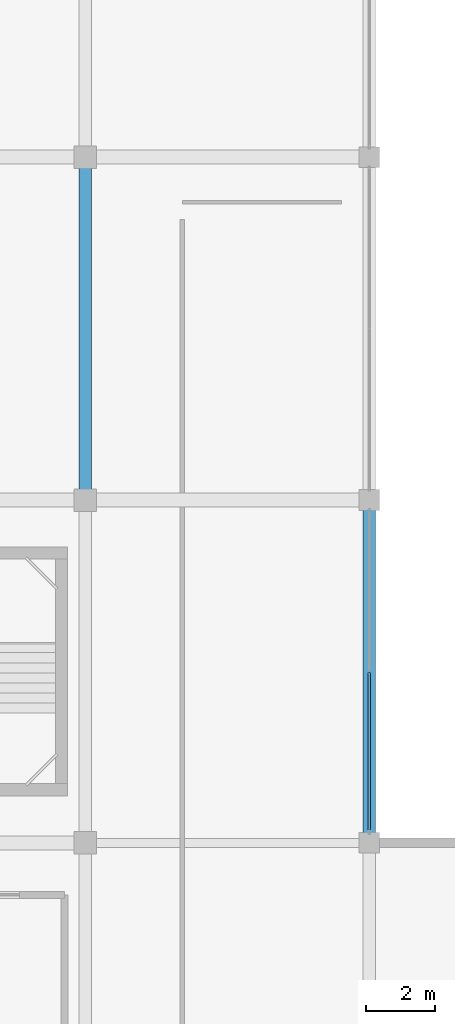
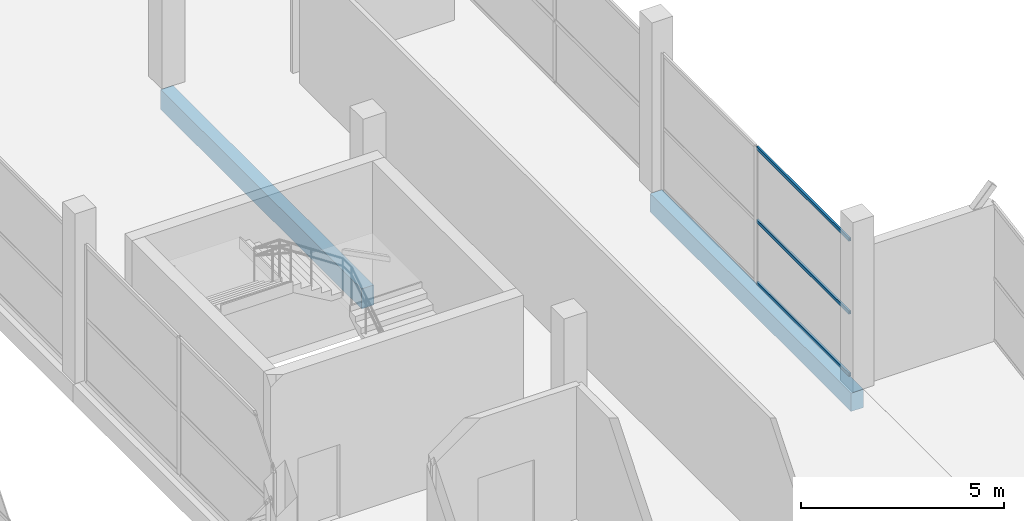
# One storey, part 32 of 66: 3 members, 2 beams, 1 element without a shape of its own.
"""IFC4 building model written with IfcOpenShell, lengths in metres."""

from ifc_helpers import new_model, si_unit, direction, frame, origin, origin_2d, place, context, subcontext, project, spatial, rectangle, hollow_rectangle, extrude, material, layer, layer_set, material_profile, profile_set, type_object, element, aggregate, save


model = new_model("IFC4")

# Units and contexts
model_context = context("Model", 3, precision=1e-05, world=origin(), true_north=direction((0.0, 1.0)))
body_context = subcontext(model_context, "Body", "Model", "MODEL_VIEW")
ifc_project = project(units=[si_unit("LENGTHUNIT", "METRE"), si_unit("AREAUNIT", "SQUARE_METRE"), si_unit("VOLUMEUNIT", "CUBIC_METRE"), si_unit("PLANEANGLEUNIT", "RADIAN"), si_unit("MASSUNIT", "GRAM", prefix="KILO")], contexts=[model_context])

# Site, building, storey
site_placement = place(None, origin())
site = spatial("IfcSite", under=ifc_project, at=site_placement, CompositionType="ELEMENT")
building_placement = place(site_placement, origin())
building = spatial("IfcBuilding", under=site, at=building_placement, Name="Sillaruma Civic Art Gallery", CompositionType="ELEMENT")
storey_placement = place(building_placement, frame((0.0, 0.0, 57.1201171875)))
storey = spatial("IfcBuildingStorey", under=building, at=storey_placement, Name="L11", CompositionType="ELEMENT", Elevation=57.1201171875)

# Beams
ifc_material_1 = material(Name="Concrete H35 (35 MPa)", Category="concrete")
ifc_material_profile_1 = material_profile(ifc_material_1, rectangle(XDim=0.35009765625, YDim=0.60009765625, at=origin_2d()), Name="RCB350x600")
ifc_profile_set_1 = profile_set([ifc_material_profile_1], Name="Concrete H35 (35 MPa)")
beam_type_1 = type_object("IfcBeamType", Name="BM-BEAM-RCB350x600", PredefinedType="BEAM", material=ifc_profile_set_1)
beam_1_placement = place(storey_placement, frame((106.199951171875, 59.39990234375, -0.550048828125), z_axis=(0.0, 1.0, 0.0), x_axis=(-1.0, 0.0, 0.0)))
element("IfcBeam", 1, at=beam_1_placement, inside=storey, type_object=beam_type_1, Name="Beam BM-06 (L10:M:7-8)", PredefinedType="BEAM", context=body_context, shape_type="SweptSolid", body=[
    extrude(rectangle(XDim=0.35009765625, YDim=0.60009765625, at=origin_2d()), origin(), (0.0, 0.0, 1.0), 9.900146484375),
])
ifc_material_profile_2 = material_profile(ifc_material_1, rectangle(XDim=0.35009765625, YDim=0.550048828125, at=origin_2d()), Name="RCB350x550")
ifc_profile_set_2 = profile_set([ifc_material_profile_2], Name="Concrete H35 (35 MPa)")
beam_type_2 = type_object("IfcBeamType", Name="BM-SPANDREL-RCB350x550", PredefinedType="SPANDREL", material=ifc_profile_set_2)
beam_2_placement = place(storey_placement, frame((114.39990234375, 49.5, -0.525146484375), z_axis=(0.0, 1.0, 0.0), x_axis=(-1.0, 0.0, 0.0)))
element("IfcBeam", 2, at=beam_2_placement, inside=storey, type_object=beam_type_2, Name="Beam BS-04 (L10:N:6-7)", PredefinedType="SPANDREL", context=body_context, shape_type="SweptSolid", body=[
    extrude(rectangle(XDim=0.35009765625, YDim=0.550048828125, at=origin_2d()), origin(), (0.0, 0.0, 1.0), 9.89990234375),
])

# Curtain wall, members
ifc_material_2 = material(Name="Thermally Broken Extruded Aluminium 6063-T6", Category="aluminium")
ifc_layer = layer(ifc_material_2, 0.159912109375, Name="Thermally Broken Extruded Aluminium 6063-T6")
ifc_layer_set = layer_set([ifc_layer], Name="Thermally Broken Extruded Aluminium 6063-T6")
curtain_wall_type = type_object("IfcCurtainWallType", Name="CW-UNI-81", PredefinedType="NOTDEFINED", material=ifc_layer_set)
curtain_wall_placement = place(storey_placement, origin())
curtain_wall = element("IfcCurtainWall", 3, at=curtain_wall_placement, inside=storey, type_object=curtain_wall_type, Name="Unitised Curtain Wall CW-81 (CW-L11-EBE-4)", PredefinedType="NOTDEFINED")
ifc_material_profile_3 = material_profile(ifc_material_2, hollow_rectangle(XDim=0.06005859375, YDim=0.10009765625, WallThickness=0.003173828125, at=origin_2d()), Name="CWT60x100")
ifc_profile_set_3 = profile_set([ifc_material_profile_3], Name="Thermally Broken Extruded Aluminium 6063-T6")
member_type = type_object("IfcMemberType", Name="MEM-TRN-CWT60x100", PredefinedType="USERDEFINED", material=ifc_profile_set_3)
member_1_placement = place(storey_placement, frame((114.39990234375, 49.864990234375, 0.02978515625), z_axis=(0.0, 1.0, 0.0), x_axis=(-1.0, 0.0, 0.0)))
member_1 = element("IfcMember", 4, at=member_1_placement, type_object=member_type, Name="CW-81 transom 1.1", ObjectType="TRANSOM", PredefinedType="USERDEFINED", context=body_context, shape_type="SweptSolid", body=[
    extrude(hollow_rectangle(XDim=0.06005859375, YDim=0.10009765625, WallThickness=0.003173828125, at=origin_2d()), origin(), (0.0, 0.0, 1.0), 4.552490234375),
])
member_2_placement = place(storey_placement, frame((114.39990234375, 49.864990234375, 1.89501953125), z_axis=(0.0, 1.0, 0.0), x_axis=(-1.0, 0.0, 0.0)))
member_2 = element("IfcMember", 5, at=member_2_placement, type_object=member_type, Name="CW-81 transom 1.2", ObjectType="TRANSOM", PredefinedType="USERDEFINED", context=body_context, shape_type="SweptSolid", body=[
    extrude(hollow_rectangle(XDim=0.06005859375, YDim=0.10009765625, WallThickness=0.003173828125, at=origin_2d()), origin(), (0.0, 0.0, 1.0), 4.552490234375),
])
member_3_placement = place(storey_placement, frame((114.39990234375, 49.864990234375, 4.08984375), z_axis=(0.0, 1.0, 0.0), x_axis=(-1.0, 0.0, 0.0)))
member_3 = element("IfcMember", 6, at=member_3_placement, type_object=member_type, Name="CW-81 transom 1.3", ObjectType="TRANSOM", PredefinedType="USERDEFINED", context=body_context, shape_type="SweptSolid", body=[
    extrude(hollow_rectangle(XDim=0.06005859375, YDim=0.10009765625, WallThickness=0.003173828125, at=origin_2d()), origin(), (0.0, 0.0, 1.0), 4.552490234375),
])
aggregate(curtain_wall, [member_1, member_2, member_3])

save(model, "model.ifc")
